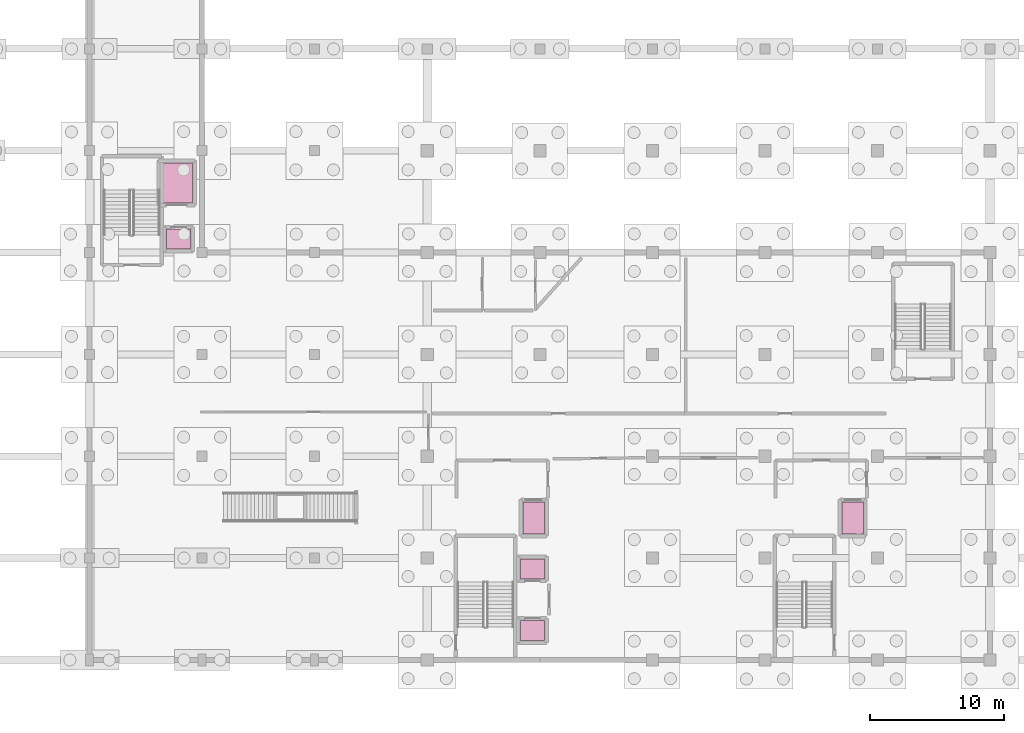
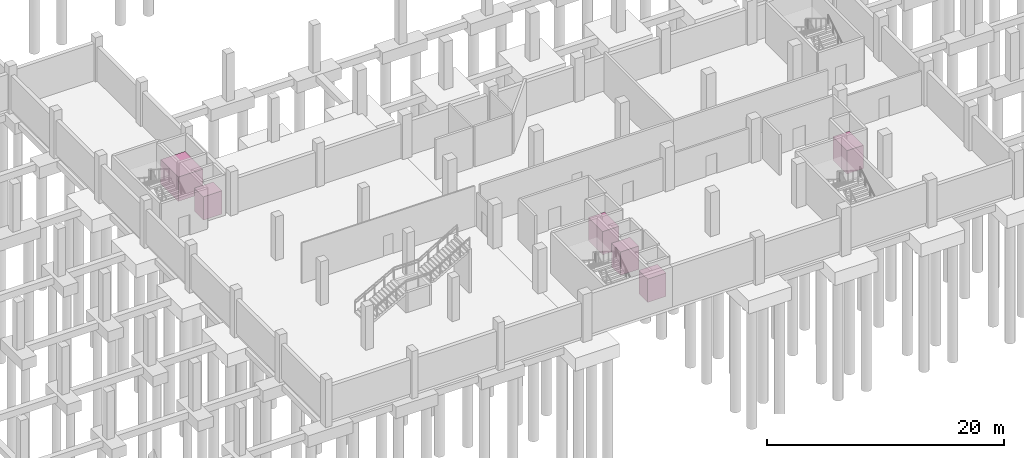
# One storey, part 22 of 22: 6 transport elements.
"""IFC4 building model written with IfcOpenShell, lengths in metres."""

from ifc_helpers import new_model, si_unit, direction, frame, origin, origin_2d, place, context, subcontext, project, spatial, rectangle, extrude, material, type_object, element, save


model = new_model("IFC4")

# Units and contexts
model_context = context("Model", 3, precision=1e-05, world=origin(), true_north=direction((0.0, 1.0)))
body_context = subcontext(model_context, "Body", "Model", "MODEL_VIEW")
ifc_project = project(units=[si_unit("LENGTHUNIT", "METRE"), si_unit("AREAUNIT", "SQUARE_METRE"), si_unit("VOLUMEUNIT", "CUBIC_METRE"), si_unit("PLANEANGLEUNIT", "RADIAN"), si_unit("MASSUNIT", "GRAM", prefix="KILO")], contexts=[model_context])

# Site, building, storey
site_placement = place(None, origin())
site = spatial("IfcSite", under=ifc_project, at=site_placement, CompositionType="ELEMENT")
building_placement = place(site_placement, origin())
building = spatial("IfcBuilding", under=site, at=building_placement, Name="Zuvorla Pavilion Media Centre", CompositionType="ELEMENT")
storey_placement = place(building_placement, frame((0.0, 0.0, -4.5)))
storey = spatial("IfcBuildingStorey", under=building, at=storey_placement, Name="B01", CompositionType="ELEMENT", Elevation=-4.5)

# Transport elements
ifc_material_1 = material(Name="Brushed stainless steel firefighting lift car", Category="steel")
transport_element_type_1 = type_object("IfcTransportElementType", Name="LFT-FF-1600", PredefinedType="ELEVATOR", material=ifc_material_1)
for number, where, z_axis, x_axis, name in (
    (1, (74.75, 16.60009765625, 0.0), (0.0, 0.0, 1.0), (1.0, 0.0, 0.0), "Lift LF-03 car"),
    (2, (98.550048828125, 16.60009765625, 0.0), (0.0, 0.0, 1.0), (1.0, 0.0, 0.0), "Lift LF-04 car"),
):
    element("IfcTransportElement", number, at=place(storey_placement, frame(where, z_axis=z_axis, x_axis=x_axis)), inside=storey, type_object=transport_element_type_1, Name=name, PredefinedType="ELEVATOR", context=body_context, shape_type="SweptSolid", body=[
        extrude(rectangle(XDim=1.60009765625, YDim=2.39990234375, at=origin_2d()), origin(), (0.0, 0.0, 1.0), 2.39990234375),
    ])
ifc_material_2 = material(Name="Heavy-duty stainless steel goods lift car", Category="steel")
transport_element_type_2 = type_object("IfcTransportElementType", Name="LFT-GDS-3000", PredefinedType="ELEVATOR", material=ifc_material_2)
transport_element_placement = place(storey_placement, frame((48.10009765625, 41.60009765625, 0.0), z_axis=(0.0, 0.0, 1.0), x_axis=(1.0, 0.0, 0.0)))
element("IfcTransportElement", 3, at=transport_element_placement, inside=storey, type_object=transport_element_type_2, Name="Lift LF-06 car", PredefinedType="ELEVATOR", context=body_context, shape_type="SweptSolid", body=[
    extrude(rectangle(XDim=2.39990234375, YDim=3.0, at=origin_2d()), origin(), (0.0, 0.0, 1.0), 2.5),
])
ifc_material_3 = material(Name="Brushed stainless steel passenger lift car", Category="steel")
transport_element_type_3 = type_object("IfcTransportElementType", Name="LFT-PAX-1275", PredefinedType="ELEVATOR", material=ifc_material_3)
for number, where, z_axis, x_axis, name in (
    (4, (74.64990234375, 8.199951171875, 0.0), (0.0, 0.0, 1.0), (1.0, 0.0, 0.0), "Lift LF-01 car"),
    (5, (74.64990234375, 12.800048828125, 0.0), (0.0, 0.0, 1.0), (1.0, 0.0, 0.0), "Lift LF-02 car"),
    (6, (48.25, 37.39990234375, 0.0), (0.0, 0.0, 1.0), (1.0, 0.0, 0.0), "Lift LF-05 car"),
):
    element("IfcTransportElement", number, at=place(storey_placement, frame(where, z_axis=z_axis, x_axis=x_axis)), inside=storey, type_object=transport_element_type_3, Name=name, PredefinedType="ELEVATOR", context=body_context, shape_type="SweptSolid", body=[
        extrude(rectangle(XDim=1.800048828125, YDim=1.5, at=origin_2d()), origin(), (0.0, 0.0, 1.0), 2.39990234375),
    ])

save(model, "model.ifc")
